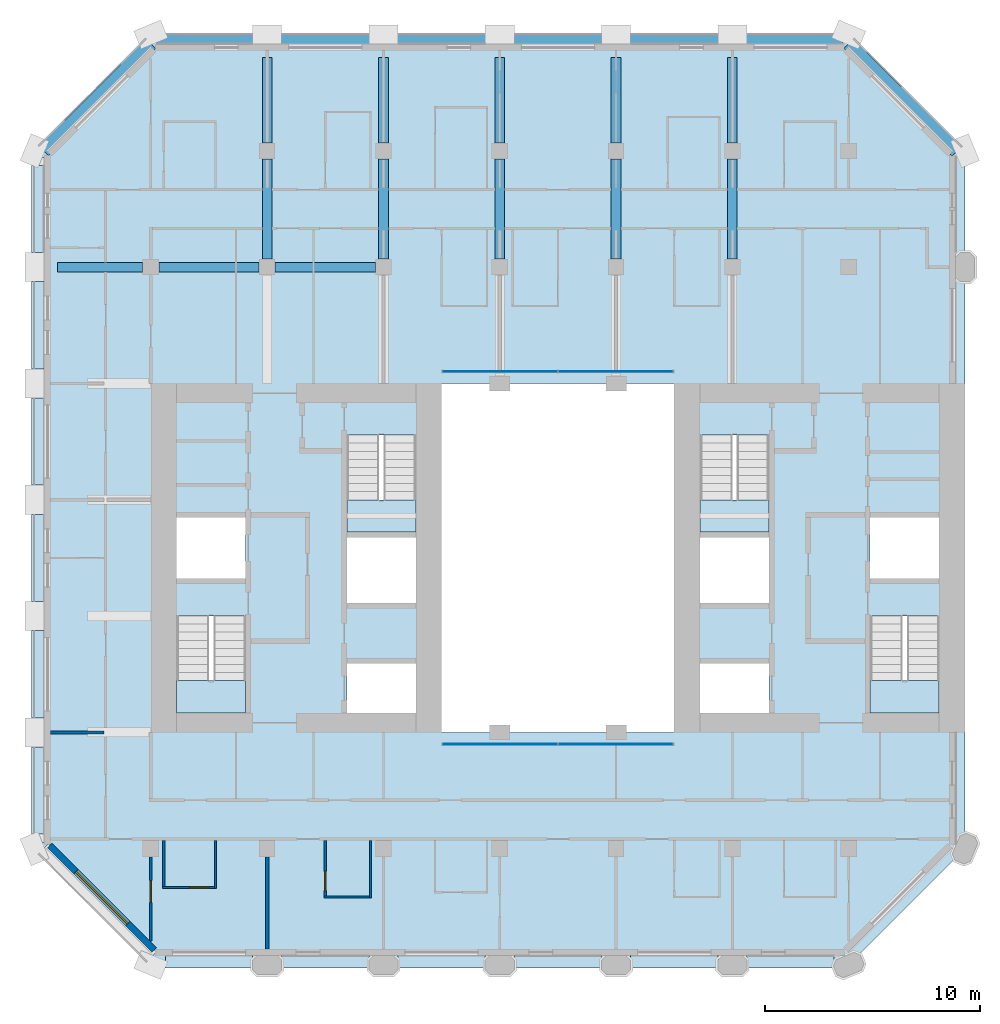
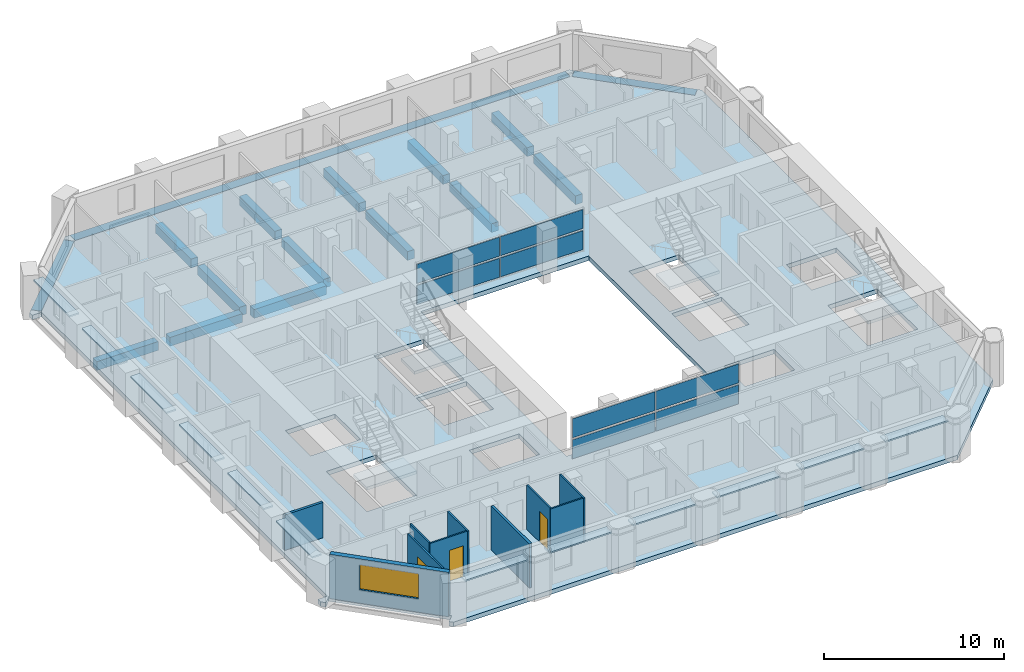
# One storey, part 5 of 13: 20 plates, 16 beams, 10 walls, 5 slabs, 3 doors, 1 window, 4 openings, 6 elements without a shape of their own.
"""IFC4 building model written with IfcOpenShell, lengths in metres."""

from ifc_helpers import new_model, si_unit, direction, frame, frame_2d, origin, origin_2d, place, context, subcontext, project, spatial, polyline, rectangle, outline, extrude, material, layer, layer_set, material_profile, profile_set, type_object, element, fill, aggregate, save


model = new_model("IFC4")

# Units and contexts
model_context = context("Model", 3, precision=1e-05, world=origin(), true_north=direction((0.0, 1.0)))
body_context = subcontext(model_context, "Body", "Model", "MODEL_VIEW")
ifc_project = project(units=[si_unit("LENGTHUNIT", "METRE"), si_unit("AREAUNIT", "SQUARE_METRE"), si_unit("VOLUMEUNIT", "CUBIC_METRE"), si_unit("PLANEANGLEUNIT", "RADIAN"), si_unit("MASSUNIT", "GRAM", prefix="KILO")], contexts=[model_context])

# Site, building, storey
site_placement = place(None, origin())
site = spatial("IfcSite", under=ifc_project, at=site_placement, CompositionType="ELEMENT")
building_placement = place(site_placement, origin())
building = spatial("IfcBuilding", under=site, at=building_placement, Name="Tabaq Tower and Sports Hall", CompositionType="ELEMENT")
storey_placement = place(building_placement, frame((0.0, 0.0, 220.300048828125)))
storey = spatial("IfcBuildingStorey", under=building, at=storey_placement, Name="L55", CompositionType="ELEMENT", Elevation=220.300048828125)

# Beams
ifc_material_1 = material(Name="Concrete C40/50", Category="concrete")
ifc_material_profile_1 = material_profile(ifc_material_1, rectangle(XDim=0.449951171875, YDim=0.60009765625, at=origin_2d()), Name="CB 450x600")
ifc_profile_set_1 = profile_set([ifc_material_profile_1], Name="Concrete C40/50")
beam_type_1 = type_object("IfcBeamType", Name="PT CANTILEVER BEAM CB 450x600 C40/50", PredefinedType="BEAM", material=ifc_profile_set_1)
beam_1_placement = place(storey_placement, frame((1.074951171875, 37.800048828125, -0.60009765625), z_axis=(1.0, 0.0, 0.0), x_axis=(0.0, 1.0, 0.0)))
element("IfcBeam", 1, at=beam_1_placement, inside=storey, type_object=beam_type_1, Name="Cantilever Beam L55 W7 span 1", PredefinedType="BEAM", context=body_context, shape_type="SweptSolid", body=[
    extrude(rectangle(XDim=0.449951171875, YDim=0.60009765625, at=origin_2d()), origin(), (0.0, 0.0, 1.0), 3.949951171875),
])
beam_2_placement = place(storey_placement, frame((5.77490234375, 37.800048828125, -0.60009765625), z_axis=(1.0, 0.0, 0.0), x_axis=(0.0, 1.0, 0.0)))
element("IfcBeam", 2, at=beam_2_placement, inside=storey, type_object=beam_type_1, Name="Cantilever Beam L55 W7 span 2", PredefinedType="BEAM", context=body_context, shape_type="SweptSolid", body=[
    extrude(rectangle(XDim=0.449951171875, YDim=0.60009765625, at=origin_2d()), origin(), (0.0, 0.0, 1.0), 4.650146484375),
])
beam_3_placement = place(storey_placement, frame((11.175048828125, 37.800048828125, -0.60009765625), z_axis=(1.0, 0.0, 0.0), x_axis=(0.0, 1.0, 0.0)))
element("IfcBeam", 3, at=beam_3_placement, inside=storey, type_object=beam_type_1, Name="Cantilever Beam L55 W7 span 3", PredefinedType="BEAM", context=body_context, shape_type="SweptSolid", body=[
    extrude(rectangle(XDim=0.449951171875, YDim=0.60009765625, at=origin_2d()), origin(), (0.0, 0.0, 1.0), 4.64990234375),
])
beam_4_placement = place(storey_placement, frame((10.800048828125, 47.52490234375, -0.60009765625), z_axis=(0.0, -1.0, 0.0), x_axis=(1.0, 0.0, 0.0)))
element("IfcBeam", 4, at=beam_4_placement, inside=storey, type_object=beam_type_1, Name="Cantilever Beam L55 N2 span 1", PredefinedType="BEAM", context=body_context, shape_type="SweptSolid", body=[
    extrude(rectangle(XDim=0.449951171875, YDim=0.60009765625, at=origin_2d()), origin(), (0.0, 0.0, 1.0), 3.949951171875),
])
beam_5_placement = place(storey_placement, frame((10.800048828125, 42.824951171875, -0.60009765625), z_axis=(0.0, -1.0, 0.0), x_axis=(1.0, 0.0, 0.0)))
element("IfcBeam", 5, at=beam_5_placement, inside=storey, type_object=beam_type_1, Name="Cantilever Beam L55 N2 span 2", PredefinedType="BEAM", context=body_context, shape_type="SweptSolid", body=[
    extrude(rectangle(XDim=0.449951171875, YDim=0.60009765625, at=origin_2d()), origin(), (0.0, 0.0, 1.0), 4.64990234375),
])
beam_6_placement = place(storey_placement, frame((16.199951171875, 47.52490234375, -0.60009765625), z_axis=(0.0, -1.0, 0.0), x_axis=(1.0, 0.0, 0.0)))
element("IfcBeam", 6, at=beam_6_placement, inside=storey, type_object=beam_type_1, Name="Cantilever Beam L55 N3 span 1", PredefinedType="BEAM", context=body_context, shape_type="SweptSolid", body=[
    extrude(rectangle(XDim=0.449951171875, YDim=0.60009765625, at=origin_2d()), origin(), (0.0, 0.0, 1.0), 3.949951171875),
])
beam_7_placement = place(storey_placement, frame((16.199951171875, 42.824951171875, -0.60009765625), z_axis=(0.0, -1.0, 0.0), x_axis=(1.0, 0.0, 0.0)))
element("IfcBeam", 7, at=beam_7_placement, inside=storey, type_object=beam_type_1, Name="Cantilever Beam L55 N3 span 2", PredefinedType="BEAM", context=body_context, shape_type="SweptSolid", body=[
    extrude(rectangle(XDim=0.449951171875, YDim=0.60009765625, at=origin_2d()), origin(), (0.0, 0.0, 1.0), 4.64990234375),
])
beam_8_placement = place(storey_placement, frame((21.60009765625, 47.52490234375, -0.60009765625), z_axis=(0.0, -1.0, 0.0), x_axis=(1.0, 0.0, 0.0)))
element("IfcBeam", 8, at=beam_8_placement, inside=storey, type_object=beam_type_1, Name="Cantilever Beam L55 N4 span 1", PredefinedType="BEAM", context=body_context, shape_type="SweptSolid", body=[
    extrude(rectangle(XDim=0.449951171875, YDim=0.60009765625, at=origin_2d()), origin(), (0.0, 0.0, 1.0), 3.949951171875),
])
beam_9_placement = place(storey_placement, frame((21.60009765625, 42.824951171875, -0.60009765625), z_axis=(0.0, -1.0, 0.0), x_axis=(1.0, 0.0, 0.0)))
element("IfcBeam", 9, at=beam_9_placement, inside=storey, type_object=beam_type_1, Name="Cantilever Beam L55 N4 span 2", PredefinedType="BEAM", context=body_context, shape_type="SweptSolid", body=[
    extrude(rectangle(XDim=0.449951171875, YDim=0.60009765625, at=origin_2d()), origin(), (0.0, 0.0, 1.0), 4.64990234375),
])
beam_10_placement = place(storey_placement, frame((27.0, 47.52490234375, -0.60009765625), z_axis=(0.0, -1.0, 0.0), x_axis=(1.0, 0.0, 0.0)))
element("IfcBeam", 10, at=beam_10_placement, inside=storey, type_object=beam_type_1, Name="Cantilever Beam L55 N5 span 1", PredefinedType="BEAM", context=body_context, shape_type="SweptSolid", body=[
    extrude(rectangle(XDim=0.449951171875, YDim=0.60009765625, at=origin_2d()), origin(), (0.0, 0.0, 1.0), 3.949951171875),
])
beam_11_placement = place(storey_placement, frame((27.0, 42.824951171875, -0.60009765625), z_axis=(0.0, -1.0, 0.0), x_axis=(1.0, 0.0, 0.0)))
element("IfcBeam", 11, at=beam_11_placement, inside=storey, type_object=beam_type_1, Name="Cantilever Beam L55 N5 span 2", PredefinedType="BEAM", context=body_context, shape_type="SweptSolid", body=[
    extrude(rectangle(XDim=0.449951171875, YDim=0.60009765625, at=origin_2d()), origin(), (0.0, 0.0, 1.0), 4.64990234375),
])
beam_12_placement = place(storey_placement, frame((32.39990234375, 47.52490234375, -0.60009765625), z_axis=(0.0, -1.0, 0.0), x_axis=(1.0, 0.0, 0.0)))
element("IfcBeam", 12, at=beam_12_placement, inside=storey, type_object=beam_type_1, Name="Cantilever Beam L55 N6 span 1", PredefinedType="BEAM", context=body_context, shape_type="SweptSolid", body=[
    extrude(rectangle(XDim=0.449951171875, YDim=0.60009765625, at=origin_2d()), origin(), (0.0, 0.0, 1.0), 3.949951171875),
])
beam_13_placement = place(storey_placement, frame((32.39990234375, 42.824951171875, -0.60009765625), z_axis=(0.0, -1.0, 0.0), x_axis=(1.0, 0.0, 0.0)))
element("IfcBeam", 13, at=beam_13_placement, inside=storey, type_object=beam_type_1, Name="Cantilever Beam L55 N6 span 2", PredefinedType="BEAM", context=body_context, shape_type="SweptSolid", body=[
    extrude(rectangle(XDim=0.449951171875, YDim=0.60009765625, at=origin_2d()), origin(), (0.0, 0.0, 1.0), 4.64990234375),
])
ifc_material_2 = material(Name="Concrete C40/50", Category="concrete")
ifc_material_profile_2 = material_profile(ifc_material_2, rectangle(XDim=0.60009765625, YDim=0.300048828125, at=origin_2d()), Name="EB 600x300")
ifc_profile_set_2 = profile_set([ifc_material_profile_2], Name="Concrete C40/50")
beam_type_2 = type_object("IfcBeamType", Name="PT EDGE BEAM EB 600x300 C40/50", PredefinedType="SPANDREL", material=ifc_profile_set_2)
beam_14_placement = place(storey_placement, frame((42.81103515625, 43.16455078125, -0.150146484375), z_axis=(-0.707089559252, 0.707124002701, 0.0), x_axis=(-0.707124002701, -0.707089559252, 0.0)))
element("IfcBeam", 14, at=beam_14_placement, inside=storey, type_object=beam_type_2, Name="Edge Beam L55 1", PredefinedType="SPANDREL", context=body_context, shape_type="SweptSolid", body=[
    extrude(rectangle(XDim=0.60009765625, YDim=0.300048828125, at=origin_2d()), origin(), (0.0, 0.0, 1.0), 7.088134765625),
])
beam_15_placement = place(storey_placement, frame((37.50146484375, 48.300048828125, -0.150146484375), z_axis=(-1.0, 0.0, 0.0), x_axis=(0.0, -1.0, 0.0)))
element("IfcBeam", 15, at=beam_15_placement, inside=storey, type_object=beam_type_2, Name="Edge Beam L55 2", PredefinedType="SPANDREL", context=body_context, shape_type="SweptSolid", body=[
    extrude(rectangle(XDim=0.60009765625, YDim=0.300048828125, at=origin_2d()), origin(), (0.0, 0.0, 1.0), 31.802978515625),
])
beam_16_placement = place(storey_placement, frame((5.401123046875, 48.1767578125, -0.150146484375), z_axis=(-0.707106781187, -0.707106781187, 0.0), x_axis=(0.707106781187, -0.707106781187, 0.0)))
element("IfcBeam", 16, at=beam_16_placement, inside=storey, type_object=beam_type_2, Name="Edge Beam L55 3", PredefinedType="SPANDREL", context=body_context, shape_type="SweptSolid", body=[
    extrude(rectangle(XDim=0.60009765625, YDim=0.300048828125, at=origin_2d()), origin(), (0.0, 0.0, 1.0), 7.03955078125),
])

# Curtain wall, plates
ifc_material_3 = material(Name="Aluminium alloy 6063-T6 framed glazing", Category="aluminium")
curtain_wall_type = type_object("IfcCurtainWallType", Name="CW1 curtain wall", PredefinedType="USERDEFINED", material=ifc_material_3)
curtain_wall_1_placement = place(storey_placement, origin())
curtain_wall_1 = element("IfcCurtainWall", 17, at=curtain_wall_1_placement, inside=storey, type_object=curtain_wall_type, Name="Atrium glazing L55 S", ObjectType="ATRIUM ENCLOSURE", PredefinedType="USERDEFINED")
ifc_material_4 = material(Name="Clear low-emissivity glass 28 mm", Category="glass")
ifc_layer_1 = layer(ifc_material_4, 0.028076171875)
ifc_layer_set_1 = layer_set([ifc_layer_1], Name="CW1 glass panel 28")
plate_type_1 = type_object("IfcPlateType", Name="CW1 glass panel 28", PredefinedType="CURTAIN_PANEL", material=ifc_layer_set_1)
plate_1_placement = place(storey_placement, frame((21.614990234375, 15.64990234375, 0.139892578125), z_axis=(0.0, 0.0, 1.0), x_axis=(1.0, 0.0, 0.0)))
plate_1 = element("IfcPlate", 18, at=plate_1_placement, type_object=plate_type_1, Name="CW1 panel 1.1", PredefinedType="CURTAIN_PANEL", context=body_context, shape_type="SweptSolid", body=[
    extrude(rectangle(XDim=5.31005859375, YDim=0.028076171875, at=origin_2d()), origin(), (0.0, 0.0, 1.0), 1.2900390625),
])
plate_2_placement = place(storey_placement, frame((21.614990234375, 15.64990234375, 1.56982421875), z_axis=(0.0, 0.0, 1.0), x_axis=(1.0, 0.0, 0.0)))
plate_2 = element("IfcPlate", 19, at=plate_2_placement, type_object=plate_type_1, Name="CW1 panel 1.2", PredefinedType="CURTAIN_PANEL", context=body_context, shape_type="SweptSolid", body=[
    extrude(rectangle(XDim=5.31005859375, YDim=0.028076171875, at=origin_2d()), origin(), (0.0, 0.0, 1.0), 1.2900390625),
])
plate_3_placement = place(storey_placement, frame((26.985107421875, 15.64990234375, 0.139892578125), z_axis=(0.0, 0.0, 1.0), x_axis=(1.0, 0.0, 0.0)))
plate_3 = element("IfcPlate", 20, at=plate_3_placement, type_object=plate_type_1, Name="CW1 panel 2.1", PredefinedType="CURTAIN_PANEL", context=body_context, shape_type="SweptSolid", body=[
    extrude(rectangle(XDim=5.31005859375, YDim=0.028076171875, at=origin_2d()), origin(), (0.0, 0.0, 1.0), 1.2900390625),
])
plate_4_placement = place(storey_placement, frame((26.985107421875, 15.64990234375, 1.56982421875), z_axis=(0.0, 0.0, 1.0), x_axis=(1.0, 0.0, 0.0)))
plate_4 = element("IfcPlate", 21, at=plate_4_placement, type_object=plate_type_1, Name="CW1 panel 2.2", PredefinedType="CURTAIN_PANEL", context=body_context, shape_type="SweptSolid", body=[
    extrude(rectangle(XDim=5.31005859375, YDim=0.028076171875, at=origin_2d()), origin(), (0.0, 0.0, 1.0), 1.2900390625),
])
aggregate(curtain_wall_1, [plate_1, plate_2, plate_3, plate_4])

curtain_wall_2_placement = place(storey_placement, origin())
curtain_wall_2 = element("IfcCurtainWall", 22, at=curtain_wall_2_placement, inside=storey, type_object=curtain_wall_type, Name="Atrium glazing L55 N", ObjectType="ATRIUM ENCLOSURE", PredefinedType="USERDEFINED")
plate_5_placement = place(storey_placement, frame((21.614990234375, 32.949951171875, 0.139892578125), z_axis=(0.0, 0.0, 1.0), x_axis=(1.0, 0.0, 0.0)))
plate_5 = element("IfcPlate", 23, at=plate_5_placement, type_object=plate_type_1, Name="CW1 panel 1.1", PredefinedType="CURTAIN_PANEL", context=body_context, shape_type="SweptSolid", body=[
    extrude(rectangle(XDim=5.31005859375, YDim=0.028076171875, at=origin_2d()), origin(), (0.0, 0.0, 1.0), 1.2900390625),
])
plate_6_placement = place(storey_placement, frame((21.614990234375, 32.949951171875, 1.56982421875), z_axis=(0.0, 0.0, 1.0), x_axis=(1.0, 0.0, 0.0)))
plate_6 = element("IfcPlate", 24, at=plate_6_placement, type_object=plate_type_1, Name="CW1 panel 1.2", PredefinedType="CURTAIN_PANEL", context=body_context, shape_type="SweptSolid", body=[
    extrude(rectangle(XDim=5.31005859375, YDim=0.028076171875, at=origin_2d()), origin(), (0.0, 0.0, 1.0), 1.2900390625),
])
plate_7_placement = place(storey_placement, frame((26.985107421875, 32.949951171875, 0.139892578125), z_axis=(0.0, 0.0, 1.0), x_axis=(1.0, 0.0, 0.0)))
plate_7 = element("IfcPlate", 25, at=plate_7_placement, type_object=plate_type_1, Name="CW1 panel 2.1", PredefinedType="CURTAIN_PANEL", context=body_context, shape_type="SweptSolid", body=[
    extrude(rectangle(XDim=5.31005859375, YDim=0.028076171875, at=origin_2d()), origin(), (0.0, 0.0, 1.0), 1.2900390625),
])
plate_8_placement = place(storey_placement, frame((26.985107421875, 32.949951171875, 1.56982421875), z_axis=(0.0, 0.0, 1.0), x_axis=(1.0, 0.0, 0.0)))
plate_8 = element("IfcPlate", 26, at=plate_8_placement, type_object=plate_type_1, Name="CW1 panel 2.2", PredefinedType="CURTAIN_PANEL", context=body_context, shape_type="SweptSolid", body=[
    extrude(rectangle(XDim=5.31005859375, YDim=0.028076171875, at=origin_2d()), origin(), (0.0, 0.0, 1.0), 1.2900390625),
])
aggregate(curtain_wall_2, [plate_5, plate_6, plate_7, plate_8])

# Stair, slab
ifc_material_5 = material(Name="Concrete C40/50", Category="concrete")
stair_type = type_object("IfcStairType", Name="Exit stair", PredefinedType="HALF_TURN_STAIR", material=ifc_material_5)
stair_1_placement = place(storey_placement, origin())
stair_1 = element("IfcStair", 27, at=stair_1_placement, inside=storey, type_object=stair_type, Name="L55 Exit stair ST1", PredefinedType="HALF_TURN_STAIR")
ifc_material_6 = material(Name="Concrete C40/50", Category="concrete")
ifc_layer_2 = layer(ifc_material_6, 0.199951171875)
ifc_layer_set_2 = layer_set([ifc_layer_2], Name="Exit stair landing")
slab_type_1 = type_object("IfcSlabType", Name="Exit stair landing", PredefinedType="LANDING", material=ifc_layer_set_2)
slab_1_placement = place(storey_placement, frame((0.0, 0.0, 1.449951171875)))
slab_1 = element("IfcSlab", 28, at=slab_1_placement, type_object=slab_type_1, Name="ST1 landing 1", PredefinedType="LANDING", context=body_context, shape_type="SweptSolid", body=[
    extrude(outline(polyline([(6.60009765625, 18.60009765625), (6.60009765625, 17.10009765625), (9.800048828125, 17.10009765625), (9.800048828125, 18.60009765625), (6.60009765625, 18.60009765625)])), origin(), (0.0, 0.0, 1.0), 0.199951171875),
])
aggregate(stair_1, [slab_1])

stair_2_placement = place(storey_placement, origin())
stair_2 = element("IfcStair", 29, at=stair_2_placement, inside=storey, type_object=stair_type, Name="L55 Exit stair ST2", PredefinedType="HALF_TURN_STAIR")
slab_2_placement = place(storey_placement, frame((0.0, 0.0, 1.449951171875)))
slab_2 = element("IfcSlab", 30, at=slab_2_placement, type_object=slab_type_1, Name="ST2 landing 1", PredefinedType="LANDING", context=body_context, shape_type="SweptSolid", body=[
    extrude(outline(polyline([(14.5, 27.0), (14.5, 25.5), (17.699951171875, 25.5), (17.699951171875, 27.0), (14.5, 27.0)])), origin(), (0.0, 0.0, 1.0), 0.199951171875),
])
aggregate(stair_2, [slab_2])

stair_3_placement = place(storey_placement, origin())
stair_3 = element("IfcStair", 31, at=stair_3_placement, inside=storey, type_object=stair_type, Name="L55 Exit stair ST3", PredefinedType="HALF_TURN_STAIR")
slab_3_placement = place(storey_placement, frame((0.0, 0.0, 1.449951171875)))
slab_3 = element("IfcSlab", 32, at=slab_3_placement, type_object=slab_type_1, Name="ST3 landing 1", PredefinedType="LANDING", context=body_context, shape_type="SweptSolid", body=[
    extrude(outline(polyline([(38.800048828125, 18.60009765625), (38.800048828125, 17.10009765625), (42.0, 17.10009765625), (42.0, 18.60009765625), (38.800048828125, 18.60009765625)])), origin(), (0.0, 0.0, 1.0), 0.199951171875),
])
aggregate(stair_3, [slab_3])

stair_4_placement = place(storey_placement, origin())
stair_4 = element("IfcStair", 33, at=stair_4_placement, inside=storey, type_object=stair_type, Name="L55 Exit stair ST4", PredefinedType="HALF_TURN_STAIR")
slab_4_placement = place(storey_placement, frame((0.0, 0.0, 1.449951171875)))
slab_4 = element("IfcSlab", 34, at=slab_4_placement, type_object=slab_type_1, Name="ST4 landing 1", PredefinedType="LANDING", context=body_context, shape_type="SweptSolid", body=[
    extrude(outline(polyline([(30.89990234375, 27.0), (30.89990234375, 25.5), (34.10009765625, 25.5), (34.10009765625, 27.0), (30.89990234375, 27.0)])), origin(), (0.0, 0.0, 1.0), 0.199951171875),
])
aggregate(stair_4, [slab_4])

# Slab
ifc_material_7 = material(Name="Concrete C40/50", Category="concrete")
ifc_layer_3 = layer(ifc_material_7, 0.300048828125)
ifc_layer_set_3 = layer_set([ifc_layer_3], Name="PT FLOOR SLAB 300 C40/50")
slab_type_2 = type_object("IfcSlabType", Name="PT FLOOR SLAB 300 C40/50", PredefinedType="FLOOR", material=ifc_layer_set_3)
slab_5_placement = place(storey_placement, frame((0.0, 0.0, -0.300048828125)))
element("IfcSlab", 35, at=slab_5_placement, inside=storey, type_object=slab_type_2, Name="Floor Slab L55", PredefinedType="FLOOR", context=body_context, shape_type="SweptSolid", body=[
    extrude(outline(polyline([(0.0, 11.0986328125), (0.0, 10.800048828125), (0.211181640625, 10.5888671875), (0.63525390625, 11.01318359375), (5.6474609375, 6.0009765625), (5.57666015625, 5.930419921875), (5.22314453125, 5.57666015625), (5.39990234375, 5.39990234375), (37.800048828125, 5.39990234375), (43.199951171875, 10.800048828125), (43.199951171875, 43.199951171875), (43.023193359375, 43.376708984375), (42.669677734375, 43.023193359375), (42.598876953125, 42.952392578125), (37.5869140625, 47.964599609375), (37.657470703125, 48.035400390625), (38.010986328125, 48.388916015625), (37.800048828125, 48.60009765625), (37.50146484375, 48.60009765625), (37.50146484375, 48.10009765625), (37.50146484375, 48.0), (5.698486328125, 48.0), (5.698486328125, 48.10009765625), (5.698486328125, 48.60009765625), (5.39990234375, 48.60009765625), (5.18896484375, 48.388916015625), (5.54248046875, 48.035400390625), (5.61328125, 47.964599609375), (0.63525390625, 42.98681640625), (0.211181640625, 43.4111328125), (0.0, 43.199951171875), (0.0, 42.9013671875), (0.5, 42.9013671875), (0.60009765625, 42.9013671875), (0.60009765625, 11.0986328125), (0.5, 11.0986328125), (0.0, 11.0986328125)]), holes=[polyline([(14.5, 19.39990234375), (17.699951171875, 19.39990234375), (17.699951171875, 17.10009765625), (14.5, 17.10009765625), (14.5, 19.39990234375)]), polyline([(6.60009765625, 21.599365234375), (9.800048828125, 21.599365234375), (9.800048828125, 17.10009765625), (6.60009765625, 17.10009765625), (6.60009765625, 21.599365234375)]), polyline([(14.5, 25.25), (17.699951171875, 25.25), (17.699951171875, 22.199951171875), (14.5, 22.199951171875), (14.5, 25.25)]), polyline([(18.89990234375, 32.39990234375), (29.699951171875, 32.39990234375), (29.699951171875, 16.199951171875), (18.89990234375, 16.199951171875), (18.89990234375, 32.39990234375)]), polyline([(9.800048828125, 26.175048828125), (9.800048828125, 23.35009765625), (6.60009765625, 23.35009765625), (6.60009765625, 26.175048828125), (9.800048828125, 26.175048828125)]), polyline([(14.5, 29.99951171875), (17.699951171875, 29.99951171875), (17.699951171875, 25.5), (14.5, 25.5), (14.5, 29.99951171875)]), polyline([(34.10009765625, 19.39990234375), (34.10009765625, 17.10009765625), (30.89990234375, 17.10009765625), (30.89990234375, 19.39990234375), (34.10009765625, 19.39990234375)]), polyline([(42.0, 21.599365234375), (42.0, 17.10009765625), (38.800048828125, 17.10009765625), (38.800048828125, 21.599365234375), (42.0, 21.599365234375)]), polyline([(30.89990234375, 25.25), (34.10009765625, 25.25), (34.10009765625, 22.199951171875), (30.89990234375, 22.199951171875), (30.89990234375, 25.25)]), polyline([(42.0, 26.175048828125), (42.0, 23.35009765625), (38.800048828125, 23.35009765625), (38.800048828125, 26.175048828125), (42.0, 26.175048828125)]), polyline([(34.10009765625, 29.99951171875), (34.10009765625, 25.5), (30.89990234375, 25.5), (30.89990234375, 29.99951171875), (34.10009765625, 29.99951171875)])]), origin(), (0.0, 0.0, 1.0), 0.300048828125),
])

# Plates
ifc_material_8 = material(Name="White precast concrete C60/75 blade", Category="concrete")
ifc_layer_4 = layer(ifc_material_8, 0.10009765625)
ifc_layer_set_4 = layer_set([ifc_layer_4], Name="White precast concrete C60/75 sunshade 100")
plate_type_2 = type_object("IfcPlateType", Name="White precast concrete C60/75 sunshade 100", PredefinedType="USERDEFINED", material=ifc_layer_set_4)
for number, where, z_axis, x_axis, name in (
    (36, (8.10009765625, 5.550048828125, 2.599853515625), (0.0, 0.0, 1.0), (1.0, 0.0, 0.0), "Sunshade L55 S"),
    (37, (13.5, 5.550048828125, 2.599853515625), (0.0, 0.0, 1.0), (1.0, 0.0, 0.0), "Sunshade L55 S"),
    (38, (18.89990234375, 5.550048828125, 2.599853515625), (0.0, 0.0, 1.0), (1.0, 0.0, 0.0), "Sunshade L55 S"),
    (39, (24.300048828125, 5.550048828125, 2.599853515625), (0.0, 0.0, 1.0), (1.0, 0.0, 0.0), "Sunshade L55 S"),
    (40, (29.699951171875, 5.550048828125, 2.599853515625), (0.0, 0.0, 1.0), (1.0, 0.0, 0.0), "Sunshade L55 S"),
    (41, (35.10009765625, 5.550048828125, 2.599853515625), (0.0, 0.0, 1.0), (1.0, 0.0, 0.0), "Sunshade L55 S"),
    (42, (0.14990234375, 40.5, 2.599853515625), (0.0, 0.0, 1.0), (0.0, -1.0, 0.0), "Sunshade L55 W"),
    (43, (0.14990234375, 35.10009765625, 2.599853515625), (0.0, 0.0, 1.0), (0.0, -1.0, 0.0), "Sunshade L55 W"),
    (44, (0.14990234375, 29.699951171875, 2.599853515625), (0.0, 0.0, 1.0), (0.0, -1.0, 0.0), "Sunshade L55 W"),
    (45, (0.14990234375, 24.300048828125, 2.599853515625), (0.0, 0.0, 1.0), (0.0, -1.0, 0.0), "Sunshade L55 W"),
    (46, (0.14990234375, 18.89990234375, 2.599853515625), (0.0, 0.0, 1.0), (0.0, -1.0, 0.0), "Sunshade L55 W"),
    (47, (0.14990234375, 13.5, 2.599853515625), (0.0, 0.0, 1.0), (0.0, -1.0, 0.0), "Sunshade L55 W"),
):
    element("IfcPlate", number, at=place(storey_placement, frame(where, z_axis=z_axis, x_axis=x_axis)), inside=storey, type_object=plate_type_2, Name=name, ObjectType="SUNSHADE", PredefinedType="USERDEFINED", context=body_context, shape_type="SweptSolid", body=[
        extrude(rectangle(XDim=4.050048828125, YDim=0.60009765625, at=origin_2d()), origin(), (0.0, 0.0, 1.0), 0.10009765625),
    ])

# Walls
ifc_material_9 = material(Name="Gypsum board on steel studs", Category="steel")
ifc_layer_5 = layer(ifc_material_9, 0.10009765625)
ifc_layer_set_5 = layer_set([ifc_layer_5], Name="Partition 100 Gypsum board")
wall_type_1 = type_object("IfcWallType", Name="Partition 100 Gypsum board", PredefinedType="PARTITIONING", material=ifc_layer_set_5)
wall_1_placement = place(storey_placement, frame((15.60009765625, 11.175048828125, 0.0), z_axis=(0.0, 0.0, 1.0), x_axis=(0.0, -1.0, 0.0)))
element("IfcWall", 48, at=wall_1_placement, inside=storey, type_object=wall_type_1, Name="Partition wall L55", PredefinedType="PARTITIONING", context=body_context, shape_type="SweptSolid", body=[
    extrude(rectangle(XDim=2.675048828125, YDim=0.10009765625, at=frame_2d((1.33740234375, 0.0))), origin(), (0.0, 0.0, 1.0), 3.0),
])
wall_2_placement = place(storey_placement, frame((15.550048828125, 8.550048828125, 0.0), z_axis=(0.0, 0.0, 1.0), x_axis=(-1.0, 0.0, 0.0)))
element("IfcWall", 49, at=wall_2_placement, inside=storey, type_object=wall_type_1, Name="Partition wall L55", PredefinedType="PARTITIONING", context=body_context, shape_type="SweptSolid", body=[
    extrude(rectangle(XDim=2.10009765625, YDim=0.10009765625, at=frame_2d((1.050048828125, 0.0))), origin(), (0.0, 0.0, 1.0), 3.0),
])

# Wall, opening, door
wall_3_placement = place(storey_placement, frame((13.5, 8.60009765625, 0.0), z_axis=(0.0, 0.0, 1.0), x_axis=(0.0, 1.0, 0.0)))
wall_3 = element("IfcWall", 50, at=wall_3_placement, inside=storey, type_object=wall_type_1, Name="Partition wall L55", PredefinedType="PARTITIONING", context=body_context, shape_type="SweptSolid", body=[
    extrude(rectangle(XDim=2.574951171875, YDim=0.10009765625, at=frame_2d((1.28759765625, 0.0))), origin(), (0.0, 0.0, 1.0), 3.0),
])
opening_1_placement = place(wall_3_placement, frame((0.25, 0.0, 0.0)))
opening_1 = element("IfcOpeningElement", 51, at=opening_1_placement, cuts=wall_3, Name="Opening L55-019", PredefinedType="OPENING", context=body_context, shape_type="SweptSolid", body=[
    extrude(rectangle(XDim=0.89990234375, YDim=2.10009765625, at=frame_2d((0.449951171875, 1.050048828125))), frame((0.0, 0.050048828125, 0.0), z_axis=(0.0, -1.0, 0.0), x_axis=(1.0, 0.0, 0.0)), (0.0, 0.0, 1.0), 0.10009765625),
])
ifc_material_10 = material(Name="Timber leaf in steel frame", Category="steel")
door_type_1 = type_object("IfcDoorType", Name="Internal door 900 right hand", OperationType="SINGLE_SWING_RIGHT", PredefinedType="DOOR", material=ifc_material_10)
door_1_placement = place(opening_1_placement, origin())
door_1 = element("IfcDoor", 52, at=door_1_placement, inside=storey, type_object=door_type_1, Name="Internal door L55-019", OperationType="SINGLE_SWING_RIGHT", OverallHeight=2.10009765625, OverallWidth=0.89990234375, PredefinedType="DOOR", context=body_context, shape_type="SweptSolid", body=[
    extrude(rectangle(XDim=0.89990234375, YDim=2.10009765625, at=frame_2d((0.449951171875, 1.050048828125))), frame((0.0, 0.02490234375, 0.0), z_axis=(0.0, -1.0, 0.0), x_axis=(1.0, 0.0, 0.0)), (0.0, 0.0, 1.0), 0.050048828125),
])
fill(opening_1, door_1)

# Wall
wall_4_placement = place(storey_placement, frame((8.39990234375, 11.175048828125, 0.0), z_axis=(0.0, 0.0, 1.0), x_axis=(0.0, -1.0, 0.0)))
element("IfcWall", 53, at=wall_4_placement, inside=storey, type_object=wall_type_1, Name="Partition wall L55", PredefinedType="PARTITIONING", context=body_context, shape_type="SweptSolid", body=[
    extrude(rectangle(XDim=2.22509765625, YDim=0.10009765625, at=frame_2d((1.112548828125, 0.0))), origin(), (0.0, 0.0, 1.0), 3.0),
])

# Wall, opening, door
wall_5_placement = place(storey_placement, frame((8.35009765625, 9.0, 0.0), z_axis=(0.0, 0.0, 1.0), x_axis=(-1.0, 0.0, 0.0)))
wall_5 = element("IfcWall", 54, at=wall_5_placement, inside=storey, type_object=wall_type_1, Name="Partition wall L55", PredefinedType="PARTITIONING", context=body_context, shape_type="SweptSolid", body=[
    extrude(rectangle(XDim=2.400146484375, YDim=0.10009765625, at=frame_2d((1.2001953125, 0.0))), origin(), (0.0, 0.0, 1.0), 3.0),
])
opening_2_placement = place(wall_5_placement, frame((0.25, 0.0, 0.0)))
opening_2 = element("IfcOpeningElement", 55, at=opening_2_placement, cuts=wall_5, Name="Opening L55-020", PredefinedType="OPENING", context=body_context, shape_type="SweptSolid", body=[
    extrude(rectangle(XDim=0.89990234375, YDim=2.10009765625, at=frame_2d((0.449951171875, 1.050048828125))), frame((0.0, 0.050048828125, 0.0), z_axis=(0.0, -1.0, 0.0), x_axis=(1.0, 0.0, 0.0)), (0.0, 0.0, 1.0), 0.10009765625),
])
ifc_material_11 = material(Name="Timber leaf in steel frame", Category="steel")
door_type_2 = type_object("IfcDoorType", Name="Internal door 900 left hand", OperationType="SINGLE_SWING_LEFT", PredefinedType="DOOR", material=ifc_material_11)
door_2_placement = place(opening_2_placement, origin())
door_2 = element("IfcDoor", 56, at=door_2_placement, inside=storey, type_object=door_type_2, Name="Internal door L55-020", OperationType="SINGLE_SWING_LEFT", OverallHeight=2.10009765625, OverallWidth=0.89990234375, PredefinedType="DOOR", context=body_context, shape_type="SweptSolid", body=[
    extrude(rectangle(XDim=0.89990234375, YDim=2.10009765625, at=frame_2d((0.449951171875, 1.050048828125))), frame((0.0, 0.02490234375, 0.0), z_axis=(0.0, -1.0, 0.0), x_axis=(1.0, 0.0, 0.0)), (0.0, 0.0, 1.0), 0.050048828125),
])
fill(opening_2, door_2)

# Wall
wall_6_placement = place(storey_placement, frame((6.0, 9.050048828125, 0.0), z_axis=(0.0, 0.0, 1.0), x_axis=(0.0, 1.0, 0.0)))
element("IfcWall", 57, at=wall_6_placement, inside=storey, type_object=wall_type_1, Name="Partition wall L55", PredefinedType="PARTITIONING", context=body_context, shape_type="SweptSolid", body=[
    extrude(rectangle(XDim=2.125, YDim=0.10009765625, at=frame_2d((1.0625, 0.0))), origin(), (0.0, 0.0, 1.0), 3.0),
])

# Wall, opening, door
wall_7_placement = place(storey_placement, frame((5.39990234375, 10.405029296875, 0.0), z_axis=(0.0, 0.0, 1.0), x_axis=(0.0, -1.0, 0.0)))
wall_7 = element("IfcWall", 58, at=wall_7_placement, inside=storey, type_object=wall_type_1, Name="Partition wall L55", PredefinedType="PARTITIONING", context=body_context, shape_type="SweptSolid", body=[
    extrude(rectangle(XDim=3.892822265625, YDim=0.10009765625, at=frame_2d((1.9462890625, 0.0))), origin(), (0.0, 0.0, 1.0), 3.0),
])
opening_3_placement = place(wall_7_placement, frame((1.092529296875, 0.0, 0.0)))
opening_3 = element("IfcOpeningElement", 59, at=opening_3_placement, cuts=wall_7, Name="Opening L55-047", PredefinedType="OPENING", context=body_context, shape_type="SweptSolid", body=[
    extrude(rectangle(XDim=1.0, YDim=2.10009765625, at=frame_2d((0.5, 1.050048828125))), frame((0.0, 0.050048828125, 0.0), z_axis=(0.0, -1.0, 0.0), x_axis=(1.0, 0.0, 0.0)), (0.0, 0.0, 1.0), 0.10009765625),
])
ifc_material_12 = material(Name="Timber leaf in steel frame", Category="steel")
door_type_3 = type_object("IfcDoorType", Name="Internal door 1000 left hand", OperationType="SINGLE_SWING_LEFT", PredefinedType="DOOR", material=ifc_material_12)
door_3_placement = place(opening_3_placement, origin())
door_3 = element("IfcDoor", 60, at=door_3_placement, inside=storey, type_object=door_type_3, Name="Internal door L55-047", OperationType="SINGLE_SWING_LEFT", OverallHeight=2.10009765625, OverallWidth=1.0, PredefinedType="DOOR", context=body_context, shape_type="SweptSolid", body=[
    extrude(rectangle(XDim=1.0, YDim=2.10009765625, at=frame_2d((0.5, 1.050048828125))), frame((0.0, 0.02490234375, 0.0), z_axis=(0.0, -1.0, 0.0), x_axis=(1.0, 0.0, 0.0)), (0.0, 0.0, 1.0), 0.050048828125),
])
fill(opening_3, door_3)

# Walls
ifc_material_13 = material(Name="Blockwork", Category="masonry")
ifc_layer_6 = layer(ifc_material_13, 0.14990234375)
ifc_layer_set_6 = layer_set([ifc_layer_6], Name="Separating wall 150 Blockwork")
wall_type_2 = type_object("IfcWallType", Name="Separating wall 150 Blockwork", PredefinedType="PARTITIONING", material=ifc_layer_set_6)
wall_8_placement = place(storey_placement, frame((3.22509765625, 16.199951171875, 0.0), z_axis=(0.0, 0.0, 1.0), x_axis=(-1.0, 0.0, 0.0)))
element("IfcWall", 61, at=wall_8_placement, inside=storey, type_object=wall_type_2, Name="Separating wall L55", PredefinedType="PARTITIONING", context=body_context, shape_type="SweptSolid", body=[
    extrude(rectangle(XDim=2.47412109375, YDim=0.14990234375, at=frame_2d((1.237060546875, 0.0))), origin(), (0.0, 0.0, 1.0), 2.39990234375),
])
wall_9_placement = place(storey_placement, frame((10.800048828125, 10.405029296875, 0.0), z_axis=(0.0, 0.0, 1.0), x_axis=(0.0, -1.0, 0.0)))
element("IfcWall", 62, at=wall_9_placement, inside=storey, type_object=wall_type_2, Name="Separating wall L55", PredefinedType="PARTITIONING", context=body_context, shape_type="SweptSolid", body=[
    extrude(rectangle(XDim=4.254150390625, YDim=0.14990234375, at=frame_2d((2.126953125, 0.0))), origin(), (0.0, 0.0, 1.0), 3.0),
])

# Wall, opening, window
ifc_material_14 = material(Name="White precast concrete C60/75", Category="concrete")
ifc_layer_7 = layer(ifc_material_14, 0.300048828125)
ifc_layer_set_7 = layer_set([ifc_layer_7], Name="White precast concrete C60/75 external wall 300")
wall_type_3 = type_object("IfcWallType", Name="White precast concrete C60/75 external wall 300", PredefinedType="SOLIDWALL", material=ifc_layer_set_7)
wall_10_placement = place(storey_placement, frame((0.698974609375, 10.949462890625, 0.0), z_axis=(0.0, 0.0, 1.0), x_axis=(0.707106781187, -0.707106781187, 0.0)))
wall_10 = element("IfcWall", 63, at=wall_10_placement, inside=storey, type_object=wall_type_3, Name="External Wall L55 SW", PredefinedType="SOLIDWALL", context=body_context, shape_type="SweptSolid", body=[
    extrude(rectangle(XDim=6.85986328125, YDim=0.300048828125, at=frame_2d((3.429931640625, 0.0))), origin(), (0.0, 0.0, 1.0), 3.0),
])
opening_4_placement = place(wall_10_placement, frame((1.729736328125, 0.0, 0.89990234375)))
opening_4 = element("IfcOpeningElement", 64, at=opening_4_placement, cuts=wall_10, Name="Opening W1A", PredefinedType="OPENING", context=body_context, shape_type="SweptSolid", body=[
    extrude(rectangle(XDim=3.39990234375, YDim=1.699951171875, at=frame_2d((1.699951171875, 0.85009765625))), frame((0.0, 0.16015625, 0.0), z_axis=(0.0, -1.0, 0.0), x_axis=(1.0, 0.0, 0.0)), (0.0, 0.0, 1.0), 0.320068359375),
])
ifc_material_15 = material(Name="Aluminium framed clear glazing", Category="aluminium")
window_type = type_object("IfcWindowType", Name="Window W1A", PartitioningType="SINGLE_PANEL", PredefinedType="WINDOW", material=ifc_material_15)
window_placement = place(opening_4_placement, origin())
window = element("IfcWindow", 65, at=window_placement, inside=storey, type_object=window_type, Name="Window W1A L55", OverallHeight=1.699951171875, OverallWidth=3.39990234375, PartitioningType="SINGLE_PANEL", PredefinedType="WINDOW", context=body_context, shape_type="SweptSolid", body=[
    extrude(rectangle(XDim=3.39990234375, YDim=1.699951171875, at=frame_2d((1.699951171875, 0.85009765625))), frame((0.0, 0.030029296875, 0.0), z_axis=(0.0, -1.0, 0.0), x_axis=(1.0, 0.0, 0.0)), (0.0, 0.0, 1.0), 0.06005859375),
])
fill(opening_4, window)

save(model, "model.ifc")
